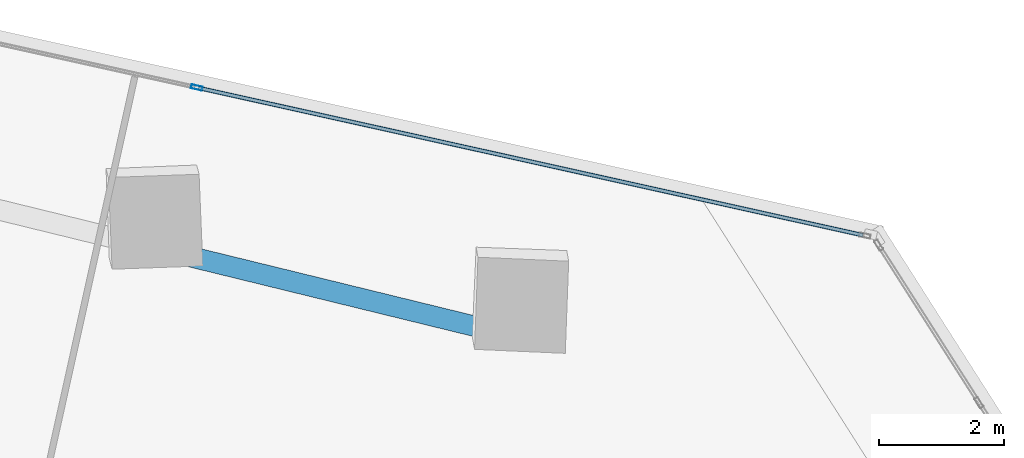
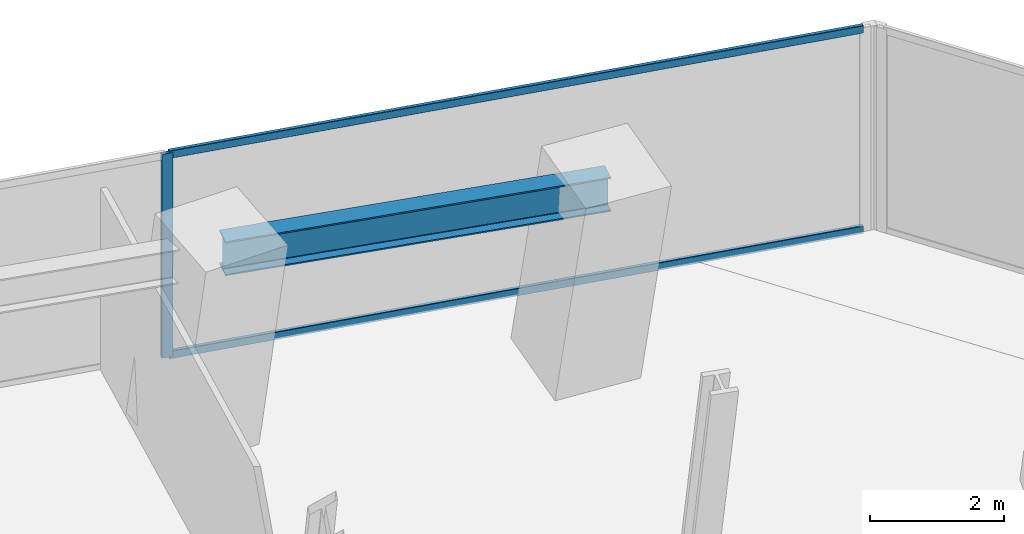
# One storey, part 13 of 25: 3 members, 1 beam, 1 element without a shape of its own.
"""IFC4 building model written with IfcOpenShell, lengths in metres."""

from ifc_helpers import new_model, si_unit, direction, frame, origin, origin_2d, place, context, subcontext, project, spatial, hollow_rectangle, i_section, extrude, source, transform, mapped, material, material_profile, profile_set, type_object, element, aggregate, save


model = new_model("IFC4")

# Units and contexts
model_context = context("Model", 3, precision=1e-05, world=origin(), true_north=direction((0.0, 1.0)))
body_context = subcontext(model_context, "Body", "Model", "MODEL_VIEW")
ifc_project = project(units=[si_unit("LENGTHUNIT", "METRE"), si_unit("AREAUNIT", "SQUARE_METRE"), si_unit("VOLUMEUNIT", "CUBIC_METRE"), si_unit("PLANEANGLEUNIT", "RADIAN"), si_unit("MASSUNIT", "GRAM", prefix="KILO")], contexts=[model_context])

# Site, building, storey
site_placement = place(None, origin())
site = spatial("IfcSite", under=ifc_project, at=site_placement, CompositionType="ELEMENT")
building_placement = place(site_placement, origin())
building = spatial("IfcBuilding", under=site, at=building_placement, Name="Torre Montelarca", CompositionType="ELEMENT")
storey_placement = place(building_placement, frame((0.0, 0.0, 91.60009765625)))
storey = spatial("IfcBuildingStorey", under=building, at=storey_placement, Name="L20", CompositionType="ELEMENT", Elevation=91.60009765625)

# Beam
ifc_material_1 = material(Name="Steel ASTM A992 Grade 50", Category="steel")
ifc_material_profile_1 = material_profile(ifc_material_1, i_section(OverallWidth=0.326904296875, OverallDepth=0.6220703125, WebThickness=0.015380859375, FlangeThickness=0.0244140625, FilletRadius=0.014892578125, at=origin_2d()), Name="W610X195", Category="steel")
ifc_profile_set_1 = profile_set([ifc_material_profile_1], Name="Steel ASTM A992 Grade 50")
beam_type = type_object("IfcBeamType", Name="BM-G-W610H", PredefinedType="BEAM", material=ifc_profile_set_1)
shared_shape_1 = source(origin(), body_context, "Body", "SweptSolid", [
    extrude(i_section(OverallWidth=0.326904296875, OverallDepth=0.6220703125, WebThickness=0.015380859375, FlangeThickness=0.0244140625, FilletRadius=0.014892578125, at=origin_2d()), origin(), (0.0, 0.0, 1.0), 6.0),
])
beam_placement = place(storey_placement, frame((50.568115234375, 39.300048828125, 3.64892578125), z_axis=(0.971346214742, -0.237668952761, 0.0), x_axis=(0.237668952761, 0.971346214742, 0.0)))
element("IfcBeam", 1, at=beam_placement, inside=storey, type_object=beam_type, Name="L20 Grid Girder X 48.0-54.0 at Y=46.0", PredefinedType="BEAM", context=body_context, shape_type="MappedRepresentation", body=[
    mapped(shared_shape_1, transform((0.0, 0.0, 0.0), scale=1.0)),
])

# Curtain wall, members
ifc_material_2 = material(Name="Insulated low-E laminated glass", Category="glass")
curtain_wall_type = type_object("IfcCurtainWallType", Name="CW-SYS-Z1", PredefinedType="USERDEFINED", material=ifc_material_2)
curtain_wall_placement = place(storey_placement, origin())
curtain_wall = element("IfcCurtainWall", 2, at=curtain_wall_placement, inside=storey, type_object=curtain_wall_type, Name="L20 Curtain Wall Run CW-T3-L20-E08-B1", ObjectType="UNITISED GLAZING", PredefinedType="USERDEFINED")
ifc_material_3 = material(Name="Anodised aluminium AA 6063-T6", Category="aluminium")
ifc_material_profile_2 = material_profile(ifc_material_3, hollow_rectangle(XDim=0.06494140625, YDim=0.139892578125, WallThickness=0.00390625, InnerFilletRadius=0.00390625, OuterFilletRadius=0.008056640625, at=origin_2d()), Name="ALU65X140X4", Category="aluminium")
ifc_profile_set_2 = profile_set([ifc_material_profile_2], Name="Anodised aluminium AA 6063-T6")
member_type_1 = type_object("IfcMemberType", Name="CWT-ALU140", PredefinedType="USERDEFINED", material=ifc_profile_set_2)
shared_shape_2 = source(origin(), body_context, "Body", "SweptSolid", [
    extrude(hollow_rectangle(XDim=0.06494140625, YDim=0.139892578125, WallThickness=0.00390625, InnerFilletRadius=0.00390625, OuterFilletRadius=0.008056640625, at=origin_2d()), origin(), (0.0, 0.0, 1.0), 10.872802734375),
])
member_1_placement = place(storey_placement, frame((61.75439453125, 39.535888671875, 0.032470703125), z_axis=(-0.976296302423, 0.216438281907, 0.0), x_axis=(-0.216438281907, -0.976296302423, 0.0)))
member_1 = element("IfcMember", 3, at=member_1_placement, type_object=member_type_1, Name="CW transom 1.1", ObjectType="TRANSOM", PredefinedType="USERDEFINED", context=body_context, shape_type="MappedRepresentation", body=[
    mapped(shared_shape_2, transform((0.0, 0.0, 0.0), scale=1.0)),
])
member_2_placement = place(storey_placement, frame((61.75439453125, 39.535888671875, 3.6875), z_axis=(-0.976296302423, 0.216438281907, 0.0), x_axis=(-0.216438281907, -0.976296302423, 0.0)))
member_2 = element("IfcMember", 4, at=member_2_placement, type_object=member_type_1, Name="CW transom 1.2", ObjectType="TRANSOM", PredefinedType="USERDEFINED", context=body_context, shape_type="MappedRepresentation", body=[
    mapped(shared_shape_2, transform((0.0, 0.0, 0.0), scale=1.0)),
])
ifc_material_profile_3 = material_profile(ifc_material_3, hollow_rectangle(XDim=0.06494140625, YDim=0.179931640625, WallThickness=0.00390625, InnerFilletRadius=0.00390625, OuterFilletRadius=0.008056640625, at=origin_2d()), Name="ALU65X180X4", Category="aluminium")
ifc_profile_set_3 = profile_set([ifc_material_profile_3], Name="Anodised aluminium AA 6063-T6")
member_type_2 = type_object("IfcMemberType", Name="CWM-ALU180", PredefinedType="MULLION", material=ifc_profile_set_3)
shared_shape_3 = source(origin(), body_context, "Body", "SweptSolid", [
    extrude(hollow_rectangle(XDim=0.06494140625, YDim=0.179931640625, WallThickness=0.00390625, InnerFilletRadius=0.00390625, OuterFilletRadius=0.008056640625, at=origin_2d()), origin(), (0.0, 0.0, 1.0), 3.719970703125),
])
member_3_placement = place(storey_placement, frame((51.107666015625, 41.896240234375, 0.0), z_axis=(0.0, 0.0, 1.0), x_axis=(-0.216442538014, -0.976295358863, 0.0)))
member_3 = element("IfcMember", 5, at=member_3_placement, type_object=member_type_2, Name="CW mullion 2", PredefinedType="MULLION", context=body_context, shape_type="MappedRepresentation", body=[
    mapped(shared_shape_3, transform((0.0, 0.0, 0.0), scale=1.0)),
])
aggregate(curtain_wall, [member_3, member_1, member_2])

save(model, "model.ifc")
